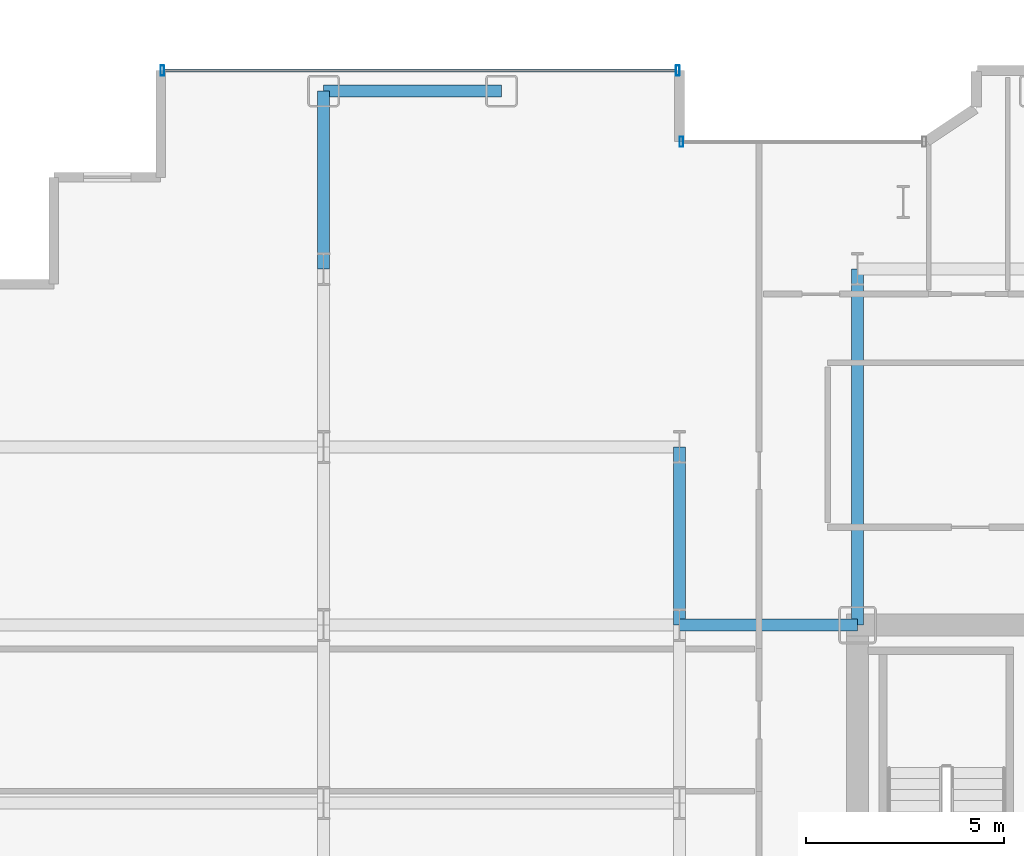
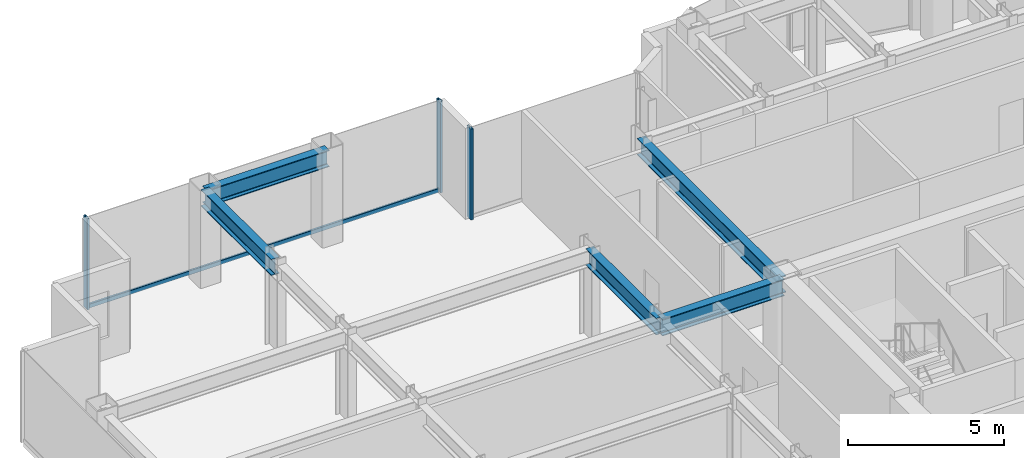
# One storey, part 13 of 26: 5 beams, 4 members, 2 elements without a shape of their own.
"""IFC4 building model written with IfcOpenShell, lengths in metres."""

from ifc_helpers import new_model, si_unit, direction, frame, origin, origin_2d, place, context, subcontext, project, spatial, hollow_rectangle, i_section, extrude, source, transform, mapped, material, layer, layer_set, material_profile, profile_set, type_object, element, aggregate, save


model = new_model("IFC4")

# Units and contexts
model_context = context("Model", 3, precision=1e-05, world=origin(), true_north=direction((0.0, 1.0)))
body_context = subcontext(model_context, "Body", "Model", "MODEL_VIEW")
ifc_project = project(units=[si_unit("LENGTHUNIT", "METRE"), si_unit("AREAUNIT", "SQUARE_METRE"), si_unit("VOLUMEUNIT", "CUBIC_METRE"), si_unit("PLANEANGLEUNIT", "RADIAN"), si_unit("MASSUNIT", "GRAM", prefix="KILO")], contexts=[model_context])

# Site, building, storey
site_placement = place(None, origin())
site = spatial("IfcSite", under=ifc_project, at=site_placement, CompositionType="ELEMENT")
building_placement = place(site_placement, origin())
building = spatial("IfcBuilding", under=site, at=building_placement, Name="Nefas-Gora Pilgrimage Tower", CompositionType="ELEMENT")
storey_placement = place(building_placement, frame((0.0, 0.0, 160.199951171875)))
storey = spatial("IfcBuildingStorey", under=building, at=storey_placement, Name="L39", CompositionType="ELEMENT", Elevation=160.199951171875)

# Beams
ifc_material_1 = material(Name="Steel S355", Category="steel")
ifc_material_profile_1 = material_profile(ifc_material_1, i_section(OverallWidth=0.300048828125, OverallDepth=0.64990234375, WebThickness=0.01611328125, FlangeThickness=0.031005859375, FilletRadius=0.027099609375, at=origin_2d()), Name="HEB 650")
ifc_profile_set_1 = profile_set([ifc_material_profile_1], Name="Steel S355")
beam_type_1 = type_object("IfcBeamType", Name="BM-SPN-HEB500", PredefinedType="SPANDREL", material=ifc_profile_set_1)
shared_shape_1 = source(origin(), body_context, "Body", "SweptSolid", [
    extrude(i_section(OverallWidth=0.300048828125, OverallDepth=0.64990234375, WebThickness=0.01611328125, FlangeThickness=0.031005859375, FilletRadius=0.027099609375, at=origin_2d()), origin(), (0.0, 0.0, 1.0), 4.5),
])
beam_1_placement = place(storey_placement, frame((-24.75, 22.5, 3.22509765625), z_axis=(1.0, 0.0, 0.0), x_axis=(0.0, 1.0, 0.0)))
element("IfcBeam", 1, at=beam_1_placement, inside=storey, type_object=beam_type_1, Name="L39 SP-02 beam", PredefinedType="SPANDREL", context=body_context, shape_type="MappedRepresentation", body=[
    mapped(shared_shape_1, transform((0.0, 0.0, 0.0), x_axis=(1.0, 0.0, 0.0), y_axis=(0.0, 1.0, 0.0), z_axis=(0.0, 0.0, 1.0), scale=1.0)),
])
ifc_material_profile_2 = material_profile(ifc_material_1, i_section(OverallWidth=0.300048828125, OverallDepth=0.64990234375, WebThickness=0.01611328125, FlangeThickness=0.031005859375, FilletRadius=0.027099609375, at=origin_2d()), Name="HEB 650")
ifc_profile_set_2 = profile_set([ifc_material_profile_2], Name="Steel S355")
beam_type_2 = type_object("IfcBeamType", Name="BM-GIR-HEB650", PredefinedType="BEAM", material=ifc_profile_set_2)
shared_shape_2 = source(origin(), body_context, "Body", "SweptSolid", [
    extrude(i_section(OverallWidth=0.300048828125, OverallDepth=0.64990234375, WebThickness=0.01611328125, FlangeThickness=0.031005859375, FilletRadius=0.027099609375, at=origin_2d()), origin(), (0.0, 0.0, 1.0), 9.0),
])
beam_2_placement = place(storey_placement, frame((-11.25, 9.0, 3.22509765625), z_axis=(0.0, 1.0, 0.0), x_axis=(-1.0, 0.0, 0.0)))
element("IfcBeam", 2, at=beam_2_placement, inside=storey, type_object=beam_type_2, Name="L39 G-03 beam", PredefinedType="BEAM", context=body_context, shape_type="MappedRepresentation", body=[
    mapped(shared_shape_2, transform((0.0, 0.0, 0.0), x_axis=(1.0, 0.0, 0.0), y_axis=(0.0, 1.0, 0.0), z_axis=(0.0, 0.0, 1.0), scale=1.0)),
])
shared_shape_3 = source(origin(), body_context, "Body", "SweptSolid", [
    extrude(i_section(OverallWidth=0.300048828125, OverallDepth=0.64990234375, WebThickness=0.01611328125, FlangeThickness=0.031005859375, FilletRadius=0.027099609375, at=origin_2d()), origin(), (0.0, 0.0, 1.0), 4.5),
])
for number, where, z_axis, x_axis, name in (
    (3, (-24.75, 18.0, 3.22509765625), (0.0, 1.0, 0.0), (-1.0, 0.0, 0.0), "L39 G-03 beam"),
    (4, (-15.75, 9.0, 3.22509765625), (0.0, 1.0, 0.0), (-1.0, 0.0, 0.0), "L39 G-03 beam"),
    (5, (-15.75, 9.0, 3.22509765625), (1.0, 0.0, 0.0), (0.0, 1.0, 0.0), "L39 G-03 beam"),
):
    element("IfcBeam", number, at=place(storey_placement, frame(where, z_axis=z_axis, x_axis=x_axis)), inside=storey, type_object=beam_type_2, Name=name, PredefinedType="BEAM", context=body_context, shape_type="MappedRepresentation", body=[
        mapped(shared_shape_3, transform((0.0, 0.0, 0.0), x_axis=(1.0, 0.0, 0.0), y_axis=(0.0, 1.0, 0.0), z_axis=(0.0, 0.0, 1.0), scale=1.0)),
    ])

# Curtain wall, member
ifc_material_2 = material(Name="Dark ceramic-fritted solar-control aluminium-glass curtain wall", Category="aluminium")
ifc_layer_1 = layer(ifc_material_2, 0.219970703125)
ifc_layer_set_1 = layer_set([ifc_layer_1], Name="Dark ceramic-fritted solar-control aluminium-glass curtain wall")
curtain_wall_type_1 = type_object("IfcCurtainWallType", Name="CW-SYS-5", PredefinedType="NOTDEFINED", material=ifc_layer_set_1)
curtain_wall_1_placement = place(storey_placement, origin())
curtain_wall_1 = element("IfcCurtainWall", 6, at=curtain_wall_1_placement, inside=storey, type_object=curtain_wall_type_1, Name="L39 Unitised Curtain Wall CW5", PredefinedType="NOTDEFINED")
ifc_material_3 = material(Name="Anodised architectural aluminium", Category="aluminium")
ifc_material_profile_3 = material_profile(ifc_material_3, hollow_rectangle(XDim=0.090087890625, YDim=0.260009765625, WallThickness=0.006103515625, InnerFilletRadius=0.006103515625, OuterFilletRadius=0.011962890625, at=origin_2d()), Name="ALU MULLION 90x260")
ifc_profile_set_3 = profile_set([ifc_material_profile_3], Name="Anodised architectural aluminium")
member_type_1 = type_object("IfcMemberType", Name="CWM-MUL-5", PredefinedType="MULLION", material=ifc_profile_set_3)
shared_shape_4 = source(origin(), body_context, "Body", "SweptSolid", [
    extrude(hollow_rectangle(XDim=0.090087890625, YDim=0.260009765625, WallThickness=0.006103515625, InnerFilletRadius=0.006103515625, OuterFilletRadius=0.011962890625, at=origin_2d()), origin(), (0.0, 0.0, 1.0), 3.550048828125),
])
member_1_placement = place(storey_placement, frame((-15.705078125, 21.219970703125, 0.0), z_axis=(0.0, 0.0, 1.0), x_axis=(-1.0, 0.0, 0.0)))
member_1 = element("IfcMember", 7, at=member_1_placement, type_object=member_type_1, Name="CW5 Mullion 2", PredefinedType="MULLION", context=body_context, shape_type="MappedRepresentation", body=[
    mapped(shared_shape_4, transform((0.0, 0.0, 0.0), x_axis=(1.0, 0.0, 0.0), y_axis=(0.0, 1.0, 0.0), z_axis=(0.0, 0.0, 1.0), scale=1.0)),
])
aggregate(curtain_wall_1, [member_1])

# Curtain wall, members
ifc_layer_2 = layer(ifc_material_2, 0.219970703125)
ifc_layer_set_2 = layer_set([ifc_layer_2], Name="Dark ceramic-fritted solar-control aluminium-glass curtain wall")
curtain_wall_type_2 = type_object("IfcCurtainWallType", Name="CW-SYS-3", PredefinedType="NOTDEFINED", material=ifc_layer_set_2)
curtain_wall_2_placement = place(storey_placement, origin())
curtain_wall_2 = element("IfcCurtainWall", 8, at=curtain_wall_2_placement, inside=storey, type_object=curtain_wall_type_2, Name="L39 Unitised Curtain Wall CW3", PredefinedType="NOTDEFINED")
ifc_material_profile_4 = material_profile(ifc_material_3, hollow_rectangle(XDim=0.090087890625, YDim=0.260009765625, WallThickness=0.006103515625, InnerFilletRadius=0.006103515625, OuterFilletRadius=0.011962890625, at=origin_2d()), Name="ALU MULLION 90x260")
ifc_profile_set_4 = profile_set([ifc_material_profile_4], Name="Anodised architectural aluminium")
member_type_2 = type_object("IfcMemberType", Name="CWM-MUL-3", PredefinedType="MULLION", material=ifc_profile_set_4)
shared_shape_5 = source(origin(), body_context, "Body", "SweptSolid", [
    extrude(hollow_rectangle(XDim=0.090087890625, YDim=0.260009765625, WallThickness=0.006103515625, InnerFilletRadius=0.006103515625, OuterFilletRadius=0.011962890625, at=origin_2d()), origin(), (0.0, 0.0, 1.0), 3.550048828125),
])
member_2_placement = place(storey_placement, frame((-15.794921875, 23.02001953125, 0.0), z_axis=(0.0, 0.0, 1.0), x_axis=(-1.0, 0.0, 0.0)))
member_2 = element("IfcMember", 9, at=member_2_placement, type_object=member_type_2, Name="CW3 Mullion 1", PredefinedType="MULLION", context=body_context, shape_type="MappedRepresentation", body=[
    mapped(shared_shape_5, transform((0.0, 0.0, 0.0), x_axis=(1.0, 0.0, 0.0), y_axis=(0.0, 1.0, 0.0), z_axis=(0.0, 0.0, 1.0), scale=1.0)),
])
member_3_placement = place(storey_placement, frame((-28.824951171875, 23.02001953125, 0.0), z_axis=(0.0, 0.0, 1.0), x_axis=(-1.0, 0.0, 0.0)))
member_3 = element("IfcMember", 10, at=member_3_placement, type_object=member_type_2, Name="CW3 Mullion 2", PredefinedType="MULLION", context=body_context, shape_type="MappedRepresentation", body=[
    mapped(shared_shape_5, transform((0.0, 0.0, 0.0), x_axis=(1.0, 0.0, 0.0), y_axis=(0.0, 1.0, 0.0), z_axis=(0.0, 0.0, 1.0), scale=1.0)),
])
ifc_material_profile_5 = material_profile(ifc_material_3, hollow_rectangle(XDim=0.080078125, YDim=0.159912109375, WallThickness=0.00439453125, InnerFilletRadius=0.00439453125, OuterFilletRadius=0.009033203125, at=origin_2d()), Name="ALU TRANSOM 80x160")
ifc_profile_set_5 = profile_set([ifc_material_profile_5], Name="Anodised architectural aluminium")
member_type_3 = type_object("IfcMemberType", Name="CWM-TRN-3", PredefinedType="USERDEFINED", material=ifc_profile_set_5)
shared_shape_6 = source(origin(), body_context, "Body", "SweptSolid", [
    extrude(hollow_rectangle(XDim=0.080078125, YDim=0.159912109375, WallThickness=0.00439453125, InnerFilletRadius=0.00439453125, OuterFilletRadius=0.009033203125, at=origin_2d()), origin(), (0.0, 0.0, 1.0), 12.93994140625),
])
member_4_placement = place(storey_placement, frame((-15.840087890625, 23.02001953125, 0.050048828125), z_axis=(-1.0, 0.0, 0.0), x_axis=(0.0, -1.0, 0.0)))
member_4 = element("IfcMember", 11, at=member_4_placement, type_object=member_type_3, Name="CW3 Spandrel Transom", ObjectType="TRANSOM", PredefinedType="USERDEFINED", context=body_context, shape_type="MappedRepresentation", body=[
    mapped(shared_shape_6, transform((0.0, 0.0, 0.0), x_axis=(1.0, 0.0, 0.0), y_axis=(0.0, 1.0, 0.0), z_axis=(0.0, 0.0, 1.0), scale=1.0)),
])
aggregate(curtain_wall_2, [member_2, member_3, member_4])

save(model, "model.ifc")
